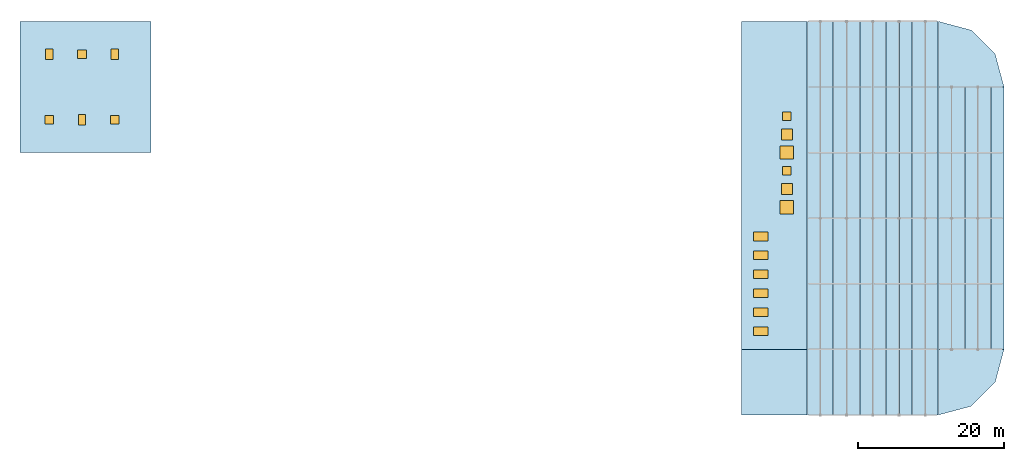
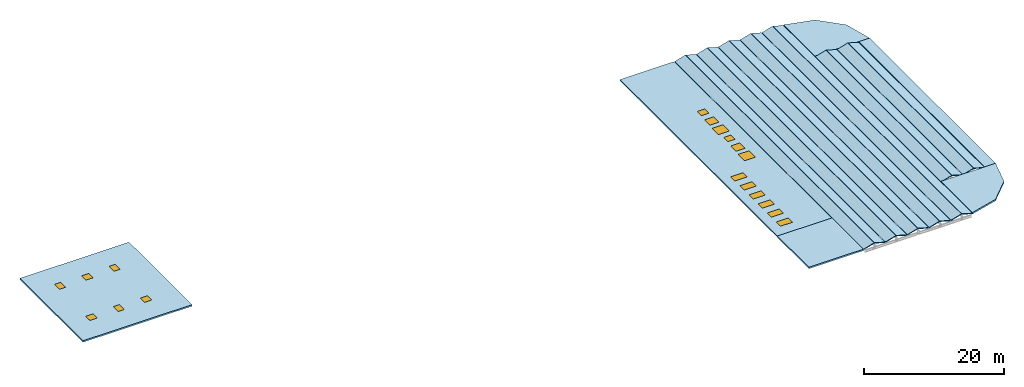
"""IFC4 building model written with IfcOpenShell, lengths in metres."""

from ifc_helpers import new_model, si_unit, direction, frame, origin, origin_2d, place, context, subcontext, project, spatial, polyline, rectangle, outline, extrude, material, layer, layer_set, type_object, element, fill, save


model = new_model("IFC4")

# Units and contexts
model_context = context("Model", 3, precision=1e-05, world=origin(), true_north=direction((0.0, 1.0)))
body_context = subcontext(model_context, "Body", "Model", "MODEL_VIEW")
ifc_project = project(units=[si_unit("LENGTHUNIT", "METRE"), si_unit("AREAUNIT", "SQUARE_METRE"), si_unit("VOLUMEUNIT", "CUBIC_METRE"), si_unit("PLANEANGLEUNIT", "RADIAN"), si_unit("MASSUNIT", "GRAM", prefix="KILO")], contexts=[model_context])

# Site, building, storey
site_placement = place(None, origin())
site = spatial("IfcSite", under=ifc_project, at=site_placement, CompositionType="ELEMENT")
building_placement = place(site_placement, origin())
building = spatial("IfcBuilding", under=site, at=building_placement, Name="Suzunagisa Mobility Hub", CompositionType="ELEMENT")
storey_1_placement = place(building_placement, frame((0.0, 0.0, 30.300048828125)))
storey_1 = spatial("IfcBuildingStorey", under=building, at=storey_1_placement, Name="Roof", CompositionType="ELEMENT", Elevation=30.300048828125)

# Slab, openings, windows
ifc_material_1 = material(Name="Concrete C30/37", Category="concrete")
ifc_layer_1 = layer(ifc_material_1, 0.239990234375)
ifc_layer_set_1 = layer_set([ifc_layer_1], Name="Concrete C30/37")
slab_type_1 = type_object("IfcSlabType", Name="Composite Slab SL-04 240mm", PredefinedType="ROOF", material=ifc_layer_set_1)
slab_1_placement = place(storey_1_placement, frame((0.0, 0.0, -0.239990234375)))
slab_1 = element("IfcSlab", 1, at=slab_1_placement, inside=storey_1, type_object=slab_type_1, Name="Roof Core Overrun and Skylight Gallery Slab", PredefinedType="ROOF", context=body_context, shape_type="SweptSolid", body=[
    extrude(outline(polyline([(144.0, 53.0), (152.969970703125, 53.0), (152.969970703125, 98.0), (144.0, 98.0), (144.0, 53.0)])), origin(), (0.0, 0.0, 1.0), 0.239990234375),
])
opening_1_placement = place(slab_1_placement, frame((146.60009765625, 55.5, -0.010986328125)))
opening_1 = element("IfcOpeningElement", 2, at=opening_1_placement, cuts=slab_1, Name="Opening WN-17", PredefinedType="OPENING", context=body_context, shape_type="SweptSolid", body=[
    extrude(rectangle(XDim=2.0, YDim=1.199951171875, at=origin_2d()), origin(), (0.0, 0.0, 1.0), 0.261962890625),
])
opening_2_placement = place(slab_1_placement, frame((146.60009765625, 58.10009765625, -0.010986328125)))
opening_2 = element("IfcOpeningElement", 3, at=opening_2_placement, cuts=slab_1, Name="Opening WN-15", PredefinedType="OPENING", context=body_context, shape_type="SweptSolid", body=[
    extrude(rectangle(XDim=2.0, YDim=1.199951171875, at=origin_2d()), origin(), (0.0, 0.0, 1.0), 0.261962890625),
])
opening_3_placement = place(slab_1_placement, frame((146.60009765625, 60.699951171875, -0.010986328125)))
opening_3 = element("IfcOpeningElement", 4, at=opening_3_placement, cuts=slab_1, Name="Opening WN-02", PredefinedType="OPENING", context=body_context, shape_type="SweptSolid", body=[
    extrude(rectangle(XDim=2.0, YDim=1.199951171875, at=origin_2d()), origin(), (0.0, 0.0, 1.0), 0.261962890625),
])
opening_4_placement = place(slab_1_placement, frame((146.60009765625, 63.300048828125, -0.010986328125)))
opening_4 = element("IfcOpeningElement", 5, at=opening_4_placement, cuts=slab_1, Name="Opening WN-12", PredefinedType="OPENING", context=body_context, shape_type="SweptSolid", body=[
    extrude(rectangle(XDim=2.0, YDim=1.199951171875, at=origin_2d()), origin(), (0.0, 0.0, 1.0), 0.261962890625),
])
opening_5_placement = place(slab_1_placement, frame((146.60009765625, 65.89990234375, -0.010986328125)))
opening_5 = element("IfcOpeningElement", 6, at=opening_5_placement, cuts=slab_1, Name="Opening WN-17", PredefinedType="OPENING", context=body_context, shape_type="SweptSolid", body=[
    extrude(rectangle(XDim=2.0, YDim=1.199951171875, at=origin_2d()), origin(), (0.0, 0.0, 1.0), 0.261962890625),
])
opening_6_placement = place(slab_1_placement, frame((146.60009765625, 68.5, -0.010986328125)))
opening_6 = element("IfcOpeningElement", 7, at=opening_6_placement, cuts=slab_1, Name="Opening WN-15", PredefinedType="OPENING", context=body_context, shape_type="SweptSolid", body=[
    extrude(rectangle(XDim=2.0, YDim=1.199951171875, at=origin_2d()), origin(), (0.0, 0.0, 1.0), 0.261962890625),
])
opening_7_placement = place(slab_1_placement, frame((150.199951171875, 72.5, -0.010986328125)))
opening_7 = element("IfcOpeningElement", 8, at=opening_7_placement, cuts=slab_1, Name="Opening WN-29", PredefinedType="OPENING", context=body_context, shape_type="SweptSolid", body=[
    extrude(rectangle(XDim=1.800048828125, YDim=1.800048828125, at=origin_2d()), origin(), (0.0, 0.0, 1.0), 0.261962890625),
])
opening_8_placement = place(slab_1_placement, frame((150.199951171875, 75.0, -0.010986328125)))
opening_8 = element("IfcOpeningElement", 9, at=opening_8_placement, cuts=slab_1, Name="Opening WN-23", PredefinedType="OPENING", context=body_context, shape_type="SweptSolid", body=[
    extrude(rectangle(XDim=1.5, YDim=1.5, at=origin_2d()), origin(), (0.0, 0.0, 1.0), 0.261962890625),
])
opening_9_placement = place(slab_1_placement, frame((150.199951171875, 77.5, -0.010986328125)))
opening_9 = element("IfcOpeningElement", 10, at=opening_9_placement, cuts=slab_1, Name="Opening WN-31", PredefinedType="OPENING", context=body_context, shape_type="SweptSolid", body=[
    extrude(rectangle(XDim=1.199951171875, YDim=1.199951171875, at=origin_2d()), origin(), (0.0, 0.0, 1.0), 0.261962890625),
])
opening_10_placement = place(slab_1_placement, frame((150.199951171875, 80.0, -0.010986328125)))
opening_10 = element("IfcOpeningElement", 11, at=opening_10_placement, cuts=slab_1, Name="Opening WN-29", PredefinedType="OPENING", context=body_context, shape_type="SweptSolid", body=[
    extrude(rectangle(XDim=1.800048828125, YDim=1.800048828125, at=origin_2d()), origin(), (0.0, 0.0, 1.0), 0.261962890625),
])
opening_11_placement = place(slab_1_placement, frame((150.199951171875, 82.5, -0.010986328125)))
opening_11 = element("IfcOpeningElement", 12, at=opening_11_placement, cuts=slab_1, Name="Opening WN-23", PredefinedType="OPENING", context=body_context, shape_type="SweptSolid", body=[
    extrude(rectangle(XDim=1.5, YDim=1.5, at=origin_2d()), origin(), (0.0, 0.0, 1.0), 0.261962890625),
])
opening_12_placement = place(slab_1_placement, frame((150.199951171875, 85.0, -0.010986328125)))
opening_12 = element("IfcOpeningElement", 13, at=opening_12_placement, cuts=slab_1, Name="Opening WN-31", PredefinedType="OPENING", context=body_context, shape_type="SweptSolid", body=[
    extrude(rectangle(XDim=1.199951171875, YDim=1.199951171875, at=origin_2d()), origin(), (0.0, 0.0, 1.0), 0.261962890625),
])
ifc_material_2 = material(Name="Thermally Broken Anodized Aluminum and Low-E Double Glazing", Category="aluminium")
window_type_1 = type_object("IfcWindowType", Name="Polycarbonate Lightdome WN-23 1500x1500", PartitioningType="SINGLE_PANEL", PredefinedType="LIGHTDOME", material=ifc_material_2)
window_1_placement = place(opening_8_placement, frame((0.0, 0.0, 0.200927734375)))
window_1 = element("IfcWindow", 14, at=window_1_placement, inside=storey_1, type_object=window_type_1, Name="Roof Smoke-Vent Lightdome LD-2", OverallHeight=1.5, OverallWidth=1.5, PartitioningType="SINGLE_PANEL", PredefinedType="LIGHTDOME", context=body_context, shape_type="SweptSolid", body=[
    extrude(rectangle(XDim=1.5, YDim=1.5, at=origin_2d()), origin(), (0.0, 0.0, 1.0), 0.050048828125),
])
fill(opening_8, window_1)
window_2_placement = place(opening_11_placement, frame((0.0, 0.0, 0.200927734375)))
window_2 = element("IfcWindow", 15, at=window_2_placement, inside=storey_1, type_object=window_type_1, Name="Roof Smoke-Vent Lightdome LD-5", OverallHeight=1.5, OverallWidth=1.5, PartitioningType="SINGLE_PANEL", PredefinedType="LIGHTDOME", context=body_context, shape_type="SweptSolid", body=[
    extrude(rectangle(XDim=1.5, YDim=1.5, at=origin_2d()), origin(), (0.0, 0.0, 1.0), 0.050048828125),
])
fill(opening_11, window_2)
window_type_2 = type_object("IfcWindowType", Name="Polycarbonate Lightdome WN-29 1800x1800", PartitioningType="SINGLE_PANEL", PredefinedType="LIGHTDOME", material=ifc_material_2)
window_3_placement = place(opening_7_placement, frame((0.0, 0.0, 0.200927734375)))
window_3 = element("IfcWindow", 16, at=window_3_placement, inside=storey_1, type_object=window_type_2, Name="Roof Smoke-Vent Lightdome LD-1", OverallHeight=1.800048828125, OverallWidth=1.800048828125, PartitioningType="SINGLE_PANEL", PredefinedType="LIGHTDOME", context=body_context, shape_type="SweptSolid", body=[
    extrude(rectangle(XDim=1.800048828125, YDim=1.800048828125, at=origin_2d()), origin(), (0.0, 0.0, 1.0), 0.050048828125),
])
fill(opening_7, window_3)
window_4_placement = place(opening_10_placement, frame((0.0, 0.0, 0.200927734375)))
window_4 = element("IfcWindow", 17, at=window_4_placement, inside=storey_1, type_object=window_type_2, Name="Roof Smoke-Vent Lightdome LD-4", OverallHeight=1.800048828125, OverallWidth=1.800048828125, PartitioningType="SINGLE_PANEL", PredefinedType="LIGHTDOME", context=body_context, shape_type="SweptSolid", body=[
    extrude(rectangle(XDim=1.800048828125, YDim=1.800048828125, at=origin_2d()), origin(), (0.0, 0.0, 1.0), 0.050048828125),
])
fill(opening_10, window_4)
window_type_3 = type_object("IfcWindowType", Name="Polycarbonate Lightdome WN-31 1200x1200", PartitioningType="SINGLE_PANEL", PredefinedType="LIGHTDOME", material=ifc_material_2)
window_5_placement = place(opening_9_placement, frame((0.0, 0.0, 0.200927734375)))
window_5 = element("IfcWindow", 18, at=window_5_placement, inside=storey_1, type_object=window_type_3, Name="Roof Smoke-Vent Lightdome LD-3", OverallHeight=1.199951171875, OverallWidth=1.199951171875, PartitioningType="SINGLE_PANEL", PredefinedType="LIGHTDOME", context=body_context, shape_type="SweptSolid", body=[
    extrude(rectangle(XDim=1.199951171875, YDim=1.199951171875, at=origin_2d()), origin(), (0.0, 0.0, 1.0), 0.050048828125),
])
fill(opening_9, window_5)
window_6_placement = place(opening_12_placement, frame((0.0, 0.0, 0.200927734375)))
window_6 = element("IfcWindow", 19, at=window_6_placement, inside=storey_1, type_object=window_type_3, Name="Roof Smoke-Vent Lightdome LD-6", OverallHeight=1.199951171875, OverallWidth=1.199951171875, PartitioningType="SINGLE_PANEL", PredefinedType="LIGHTDOME", context=body_context, shape_type="SweptSolid", body=[
    extrude(rectangle(XDim=1.199951171875, YDim=1.199951171875, at=origin_2d()), origin(), (0.0, 0.0, 1.0), 0.050048828125),
])
fill(opening_12, window_6)
window_type_4 = type_object("IfcWindowType", Name="Roof Skylight WN-02 2400x1400", PartitioningType="SINGLE_PANEL", PredefinedType="SKYLIGHT", material=ifc_material_2)
window_7_placement = place(opening_3_placement, frame((0.0, 0.0, 0.200927734375)))
window_7 = element("IfcWindow", 20, at=window_7_placement, inside=storey_1, type_object=window_type_4, Name="Roof Gallery Skylight SK-3", OverallHeight=1.199951171875, OverallWidth=2.0, PartitioningType="SINGLE_PANEL", PredefinedType="SKYLIGHT", context=body_context, shape_type="SweptSolid", body=[
    extrude(rectangle(XDim=2.0, YDim=1.199951171875, at=origin_2d()), origin(), (0.0, 0.0, 1.0), 0.050048828125),
])
fill(opening_3, window_7)
window_type_5 = type_object("IfcWindowType", Name="Roof Skylight WN-12 2000x1200", PartitioningType="SINGLE_PANEL", PredefinedType="SKYLIGHT", material=ifc_material_2)
window_8_placement = place(opening_4_placement, frame((0.0, 0.0, 0.200927734375)))
window_8 = element("IfcWindow", 21, at=window_8_placement, inside=storey_1, type_object=window_type_5, Name="Roof Gallery Skylight SK-4", OverallHeight=1.199951171875, OverallWidth=2.0, PartitioningType="SINGLE_PANEL", PredefinedType="SKYLIGHT", context=body_context, shape_type="SweptSolid", body=[
    extrude(rectangle(XDim=2.0, YDim=1.199951171875, at=origin_2d()), origin(), (0.0, 0.0, 1.0), 0.050048828125),
])
fill(opening_4, window_8)
window_type_6 = type_object("IfcWindowType", Name="Roof Skylight WN-15 2800x1600", PartitioningType="SINGLE_PANEL", PredefinedType="SKYLIGHT", material=ifc_material_2)
window_9_placement = place(opening_2_placement, frame((0.0, 0.0, 0.200927734375)))
window_9 = element("IfcWindow", 22, at=window_9_placement, inside=storey_1, type_object=window_type_6, Name="Roof Gallery Skylight SK-2", OverallHeight=1.199951171875, OverallWidth=2.0, PartitioningType="SINGLE_PANEL", PredefinedType="SKYLIGHT", context=body_context, shape_type="SweptSolid", body=[
    extrude(rectangle(XDim=2.0, YDim=1.199951171875, at=origin_2d()), origin(), (0.0, 0.0, 1.0), 0.050048828125),
])
fill(opening_2, window_9)
window_10_placement = place(opening_6_placement, frame((0.0, 0.0, 0.200927734375)))
window_10 = element("IfcWindow", 23, at=window_10_placement, inside=storey_1, type_object=window_type_6, Name="Roof Gallery Skylight SK-6", OverallHeight=1.199951171875, OverallWidth=2.0, PartitioningType="SINGLE_PANEL", PredefinedType="SKYLIGHT", context=body_context, shape_type="SweptSolid", body=[
    extrude(rectangle(XDim=2.0, YDim=1.199951171875, at=origin_2d()), origin(), (0.0, 0.0, 1.0), 0.050048828125),
])
fill(opening_6, window_10)
window_type_7 = type_object("IfcWindowType", Name="Roof Skylight WN-17 3200x1800", PartitioningType="SINGLE_PANEL", PredefinedType="SKYLIGHT", material=ifc_material_2)
window_11_placement = place(opening_1_placement, frame((0.0, 0.0, 0.200927734375)))
window_11 = element("IfcWindow", 24, at=window_11_placement, inside=storey_1, type_object=window_type_7, Name="Roof Gallery Skylight SK-1", OverallHeight=1.199951171875, OverallWidth=2.0, PartitioningType="SINGLE_PANEL", PredefinedType="SKYLIGHT", context=body_context, shape_type="SweptSolid", body=[
    extrude(rectangle(XDim=2.0, YDim=1.199951171875, at=origin_2d()), origin(), (0.0, 0.0, 1.0), 0.050048828125),
])
fill(opening_1, window_11)
window_12_placement = place(opening_5_placement, frame((0.0, 0.0, 0.200927734375)))
window_12 = element("IfcWindow", 25, at=window_12_placement, inside=storey_1, type_object=window_type_7, Name="Roof Gallery Skylight SK-5", OverallHeight=1.199951171875, OverallWidth=2.0, PartitioningType="SINGLE_PANEL", PredefinedType="SKYLIGHT", context=body_context, shape_type="SweptSolid", body=[
    extrude(rectangle(XDim=2.0, YDim=1.199951171875, at=origin_2d()), origin(), (0.0, 0.0, 1.0), 0.050048828125),
])
fill(opening_5, window_12)

# Slabs
ifc_layer_2 = layer(ifc_material_1, 0.139892578125)
ifc_layer_set_2 = layer_set([ifc_layer_2], Name="Concrete C30/37")
slab_type_2 = type_object("IfcSlabType", Name="Composite Slab SL-06 140mm", PredefinedType="ROOF", material=ifc_layer_set_2)
for number, where, z_axis, x_axis, name in (
    (26, (153.030029296875, 44.0, 0.0), (-0.27580754029, 0.0, 0.961212880022), (0.961212880022, 0.0, 0.27580754029), "Roof Sports Deck Canopy 1W"),
    (27, (154.830078125, 44.0, 0.499267578125), (0.27580754029, 0.0, 0.961212880022), (0.961212880022, 0.0, -0.27580754029), "Roof Sports Deck Canopy 1E"),
):
    element("IfcSlab", number, at=place(storey_1_placement, frame(where, z_axis=z_axis, x_axis=x_axis)), inside=storey_1, type_object=slab_type_2, Name=name, PredefinedType="ROOF", context=body_context, shape_type="SweptSolid", body=[
        extrude(outline(polyline([(0.0, 0.0), (1.810202787062038, 0.0), (1.810202787062038, 54.0), (0.0, 54.0), (0.0, 0.0)])), origin(), (0.0, 0.0, -1.0), 0.139892578125),
    ])
slab_2_placement = place(storey_1_placement, frame((156.6298828125, 44.0, 0.0), z_axis=(-0.275771789589, 0.0, 0.961223137501), x_axis=(0.961223137501, 0.0, 0.275771789589)))
element("IfcSlab", 28, at=slab_2_placement, inside=storey_1, type_object=slab_type_2, Name="Roof Sports Deck Canopy 2W", PredefinedType="ROOF", context=body_context, shape_type="SweptSolid", body=[
    extrude(outline(polyline([(0.0, 0.0), (1.8104374594275394, 0.0), (1.8104374594275394, 54.0), (0.0, 54.0), (0.0, 0.0)])), origin(), (0.0, 0.0, -1.0), 0.139892578125),
])
for number, where, z_axis, x_axis, name in (
    (29, (158.429931640625, 44.0, 0.499267578125), (0.27580754029, 0.0, 0.961212880022), (0.961212880022, 0.0, -0.27580754029), "Roof Sports Deck Canopy 2E"),
    (30, (160.22998046875, 44.0, 0.0), (-0.27580754029, 0.0, 0.961212880022), (0.961212880022, 0.0, 0.27580754029), "Roof Sports Deck Canopy 3W"),
    (31, (162.030029296875, 44.0, 0.499267578125), (0.27580754029, 0.0, 0.961212880022), (0.961212880022, 0.0, -0.27580754029), "Roof Sports Deck Canopy 3E"),
    (32, (163.830078125, 44.0, 0.0), (-0.27580754029, 0.0, 0.961212880022), (0.961212880022, 0.0, 0.27580754029), "Roof Sports Deck Canopy 4W"),
):
    element("IfcSlab", number, at=place(storey_1_placement, frame(where, z_axis=z_axis, x_axis=x_axis)), inside=storey_1, type_object=slab_type_2, Name=name, PredefinedType="ROOF", context=body_context, shape_type="SweptSolid", body=[
        extrude(outline(polyline([(0.0, 0.0), (1.810202787062038, 0.0), (1.810202787062038, 54.0), (0.0, 54.0), (0.0, 0.0)])), origin(), (0.0, 0.0, -1.0), 0.139892578125),
    ])
slab_3_placement = place(storey_1_placement, frame((165.6298828125, 44.0, 0.499267578125), z_axis=(0.275771789589, 0.0, 0.961223137501), x_axis=(0.961223137501, 0.0, -0.275771789589)))
element("IfcSlab", 33, at=slab_3_placement, inside=storey_1, type_object=slab_type_2, Name="Roof Sports Deck Canopy 4E", PredefinedType="ROOF", context=body_context, shape_type="SweptSolid", body=[
    extrude(outline(polyline([(0.0, 0.0), (1.8104374594275394, 0.0), (1.8104374594275394, 54.0), (0.0, 54.0), (0.0, 0.0)])), origin(), (0.0, 0.0, -1.0), 0.139892578125),
])
for number, where, z_axis, x_axis, name in (
    (34, (167.429931640625, 44.0, 0.0), (-0.27580754029, 0.0, 0.961212880022), (0.961212880022, 0.0, 0.27580754029), "Roof Sports Deck Canopy 5W"),
    (35, (169.22998046875, 44.0, 0.499267578125), (0.27580754029, 0.0, 0.961212880022), (0.961212880022, 0.0, -0.27580754029), "Roof Sports Deck Canopy 5E"),
):
    element("IfcSlab", number, at=place(storey_1_placement, frame(where, z_axis=z_axis, x_axis=x_axis)), inside=storey_1, type_object=slab_type_2, Name=name, PredefinedType="ROOF", context=body_context, shape_type="SweptSolid", body=[
        extrude(outline(polyline([(0.0, 0.0), (1.810202787062038, 0.0), (1.810202787062038, 54.0), (0.0, 54.0), (0.0, 0.0)])), origin(), (0.0, 0.0, -1.0), 0.139892578125),
    ])
for number, where, z_axis, x_axis, name in (
    (36, (171.030029296875, 53.0, 0.0), (-0.27580754029, 0.0, 0.961212880022), (0.961212880022, 0.0, 0.27580754029), "Roof Sports Deck Canopy 6W"),
    (37, (172.830078125, 53.0, 0.499267578125), (0.27580754029, 0.0, 0.961212880022), (0.961212880022, 0.0, -0.27580754029), "Roof Sports Deck Canopy 6E"),
):
    element("IfcSlab", number, at=place(storey_1_placement, frame(where, z_axis=z_axis, x_axis=x_axis)), inside=storey_1, type_object=slab_type_2, Name=name, PredefinedType="ROOF", context=body_context, shape_type="SweptSolid", body=[
        extrude(outline(polyline([(0.0, 0.0), (1.810202787062038, 0.0), (1.810202787062038, 36.0), (0.0, 36.0), (0.0, 0.0)])), origin(), (0.0, 0.0, -1.0), 0.139892578125),
    ])
slab_4_placement = place(storey_1_placement, frame((174.6298828125, 53.0, 0.0), z_axis=(-0.275771789589, 0.0, 0.961223137501), x_axis=(0.961223137501, 0.0, 0.275771789589)))
element("IfcSlab", 38, at=slab_4_placement, inside=storey_1, type_object=slab_type_2, Name="Roof Sports Deck Canopy 7W", PredefinedType="ROOF", context=body_context, shape_type="SweptSolid", body=[
    extrude(outline(polyline([(0.0, 0.0), (1.8104374594275394, 0.0), (1.8104374594275394, 36.0), (0.0, 36.0), (0.0, 0.0)])), origin(), (0.0, 0.0, -1.0), 0.139892578125),
])
slab_5_placement = place(storey_1_placement, frame((176.429931640625, 53.0, 0.499267578125), z_axis=(0.27580754029, 0.0, 0.961212880022), x_axis=(0.961212880022, 0.0, -0.27580754029)))
element("IfcSlab", 39, at=slab_5_placement, inside=storey_1, type_object=slab_type_2, Name="Roof Sports Deck Canopy 7E", PredefinedType="ROOF", context=body_context, shape_type="SweptSolid", body=[
    extrude(outline(polyline([(0.0, 0.0), (1.810202787062038, 0.0), (1.810202787062038, 36.0), (0.0, 36.0), (0.0, 0.0)])), origin(), (0.0, 0.0, -1.0), 0.139892578125),
])
ifc_layer_3 = layer(ifc_material_1, 0.260009765625)
ifc_layer_set_3 = layer_set([ifc_layer_3], Name="Concrete C30/37")
slab_type_3 = type_object("IfcSlabType", Name="Composite Slab SL-17 260mm", PredefinedType="ROOF", material=ifc_layer_set_3)
slab_6_placement = place(storey_1_placement, frame((0.0, 0.0, -0.260009765625)))
element("IfcSlab", 40, at=slab_6_placement, inside=storey_1, type_object=slab_type_3, Name="Roof Sports Pavilion SW Apron Slab", PredefinedType="ROOF", context=body_context, shape_type="SweptSolid", body=[
    extrude(outline(polyline([(153.0, 44.0), (153.0, 53.0), (144.0, 53.0), (144.0, 44.0), (153.0, 44.0)])), origin(), (0.0, 0.0, 1.0), 0.260009765625),
])
slab_7_placement = place(storey_1_placement, frame((0.0, 0.0, -0.1650390625)))
element("IfcSlab", 41, at=slab_7_placement, inside=storey_1, type_object=slab_type_3, Name="Roof Sports Pavilion SE Streamline Corner Slab", PredefinedType="ROOF", context=body_context, shape_type="SweptSolid", body=[
    extrude(outline(polyline([(180.0, 53.0), (171.0, 53.0), (171.0, 44.0), (175.5, 45.205810546875), (178.794189453125, 48.5), (180.0, 53.0)])), origin(), (0.0, 0.0, 1.0), 0.260009765625),
])
slab_8_placement = place(storey_1_placement, frame((0.0, 0.0, -0.1650390625)))
element("IfcSlab", 42, at=slab_8_placement, inside=storey_1, type_object=slab_type_3, Name="Roof Sports Pavilion NE Streamline Corner Slab", PredefinedType="ROOF", context=body_context, shape_type="SweptSolid", body=[
    extrude(outline(polyline([(171.0, 98.0), (171.0, 89.0), (180.0, 89.0), (178.794189453125, 93.5), (175.5, 96.794189453125), (171.0, 98.0)])), origin(), (0.0, 0.0, 1.0), 0.260009765625),
])
slab_9_placement = place(storey_1_placement, frame((0.0, 0.0, -0.1650390625)))
element("IfcSlab", 43, at=slab_9_placement, inside=storey_1, type_object=slab_type_3, Name="Roof Sports Pavilion East Eave Fascia Slab", PredefinedType="ROOF", context=body_context, shape_type="SweptSolid", body=[
    extrude(outline(polyline([(180.0, 89.0), (178.199951171875, 89.0), (178.199951171875, 53.0), (180.0, 53.0), (180.0, 89.0)])), origin(), (0.0, 0.0, 1.0), 0.260009765625),
])

# Slab, openings
slab_10_placement = place(storey_1_placement, frame((0.0, 0.0, -0.260009765625)))
slab_10 = element("IfcSlab", 44, at=slab_10_placement, inside=storey_1, type_object=slab_type_3, Name="Roof West Sky-Garden Penthouse Roof Slab", PredefinedType="ROOF", context=body_context, shape_type="SweptSolid", body=[
    extrude(outline(polyline([(45.0, 80.0), (63.0, 80.0), (63.0, 98.0), (45.0, 98.0), (45.0, 80.0)])), origin(), (0.0, 0.0, 1.0), 0.260009765625),
])
opening_13_placement = place(slab_10_placement, frame((49.0, 84.5, -0.010986328125)))
opening_13 = element("IfcOpeningElement", 45, at=opening_13_placement, cuts=slab_10, Name="Opening ED-04", PredefinedType="OPENING", context=body_context, shape_type="SweptSolid", body=[
    extrude(rectangle(XDim=1.199951171875, YDim=1.199951171875, at=origin_2d()), origin(), (0.0, 0.0, 1.0), 0.281982421875),
])
opening_14_placement = place(slab_10_placement, frame((53.5, 84.5, -0.010986328125)))
opening_14 = element("IfcOpeningElement", 46, at=opening_14_placement, cuts=slab_10, Name="Opening ED-01", PredefinedType="OPENING", context=body_context, shape_type="SweptSolid", body=[
    extrude(rectangle(XDim=1.0, YDim=1.39990234375, at=origin_2d()), origin(), (0.0, 0.0, 1.0), 0.281982421875),
])
opening_15_placement = place(slab_10_placement, frame((58.0, 84.5, -0.010986328125)))
opening_15 = element("IfcOpeningElement", 47, at=opening_15_placement, cuts=slab_10, Name="Opening ED-04", PredefinedType="OPENING", context=body_context, shape_type="SweptSolid", body=[
    extrude(rectangle(XDim=1.199951171875, YDim=1.199951171875, at=origin_2d()), origin(), (0.0, 0.0, 1.0), 0.281982421875),
])
opening_16_placement = place(slab_10_placement, frame((49.0, 93.5, -0.010986328125)))
opening_16 = element("IfcOpeningElement", 48, at=opening_16_placement, cuts=slab_10, Name="Opening ED-01", PredefinedType="OPENING", context=body_context, shape_type="SweptSolid", body=[
    extrude(rectangle(XDim=1.0, YDim=1.39990234375, at=origin_2d()), origin(), (0.0, 0.0, 1.0), 0.281982421875),
])
opening_17_placement = place(slab_10_placement, frame((53.5, 93.5, -0.010986328125)))
opening_17 = element("IfcOpeningElement", 49, at=opening_17_placement, cuts=slab_10, Name="Opening ED-04", PredefinedType="OPENING", context=body_context, shape_type="SweptSolid", body=[
    extrude(rectangle(XDim=1.199951171875, YDim=1.199951171875, at=origin_2d()), origin(), (0.0, 0.0, 1.0), 0.281982421875),
])
opening_18_placement = place(slab_10_placement, frame((58.0, 93.5, -0.010986328125)))
opening_18 = element("IfcOpeningElement", 50, at=opening_18_placement, cuts=slab_10, Name="Opening ED-01", PredefinedType="OPENING", context=body_context, shape_type="SweptSolid", body=[
    extrude(rectangle(XDim=1.0, YDim=1.39990234375, at=origin_2d()), origin(), (0.0, 0.0, 1.0), 0.281982421875),
])

# Storey
storey_2_placement = place(building_placement, frame((0.0, 0.0, 26.10009765625)))
storey_2 = spatial("IfcBuildingStorey", under=building, at=storey_2_placement, Name="L06", CompositionType="ELEMENT", Elevation=26.10009765625)

# Door
ifc_material_3 = material(Name="Anodized Aluminum and Tempered Safety Glass", Category="aluminium")
door_type_1 = type_object("IfcDoorType", Name="Roof Maintenance Hatch ED-01 1000x1400", OperationType="SINGLE_SWING_LEFT", PredefinedType="TRAPDOOR", material=ifc_material_3)
door_1_placement = place(opening_14_placement, frame((0.0, 0.0, 0.220947265625)))
door_1 = element("IfcDoor", 51, at=door_1_placement, inside=storey_2, type_object=door_type_1, Name="Roof Penthouse Maintenance Access Hatch RH-2", OperationType="SINGLE_SWING_LEFT", OverallHeight=1.39990234375, OverallWidth=1.0, PredefinedType="TRAPDOOR", context=body_context, shape_type="SweptSolid", body=[
    extrude(rectangle(XDim=1.0, YDim=1.39990234375, at=origin_2d()), origin(), (0.0, 0.0, 1.0), 0.050048828125),
])

fill(opening_14, door_1)

door_2_placement = place(opening_16_placement, frame((0.0, 0.0, 0.220947265625)))
door_2 = element("IfcDoor", 52, at=door_2_placement, inside=storey_2, type_object=door_type_1, Name="Roof Penthouse Maintenance Access Hatch RH-4", OperationType="SINGLE_SWING_LEFT", OverallHeight=1.39990234375, OverallWidth=1.0, PredefinedType="TRAPDOOR", context=body_context, shape_type="SweptSolid", body=[
    extrude(rectangle(XDim=1.0, YDim=1.39990234375, at=origin_2d()), origin(), (0.0, 0.0, 1.0), 0.050048828125),
])

fill(opening_16, door_2)

door_3_placement = place(opening_18_placement, frame((0.0, 0.0, 0.220947265625)))
door_3 = element("IfcDoor", 53, at=door_3_placement, inside=storey_2, type_object=door_type_1, Name="Roof Penthouse Maintenance Access Hatch RH-6", OperationType="SINGLE_SWING_LEFT", OverallHeight=1.39990234375, OverallWidth=1.0, PredefinedType="TRAPDOOR", context=body_context, shape_type="SweptSolid", body=[
    extrude(rectangle(XDim=1.0, YDim=1.39990234375, at=origin_2d()), origin(), (0.0, 0.0, 1.0), 0.050048828125),
])

fill(opening_18, door_3)

door_type_2 = type_object("IfcDoorType", Name="Roof Maintenance Hatch ED-04 1200x1200", OperationType="SINGLE_SWING_LEFT", PredefinedType="TRAPDOOR", material=ifc_material_3)
door_4_placement = place(opening_13_placement, frame((0.0, 0.0, 0.220947265625)))
door_4 = element("IfcDoor", 54, at=door_4_placement, inside=storey_2, type_object=door_type_2, Name="Roof Penthouse Maintenance Access Hatch RH-1", OperationType="SINGLE_SWING_LEFT", OverallHeight=1.199951171875, OverallWidth=1.199951171875, PredefinedType="TRAPDOOR", context=body_context, shape_type="SweptSolid", body=[
    extrude(rectangle(XDim=1.199951171875, YDim=1.199951171875, at=origin_2d()), origin(), (0.0, 0.0, 1.0), 0.050048828125),
])

fill(opening_13, door_4)

door_5_placement = place(opening_15_placement, frame((0.0, 0.0, 0.220947265625)))
door_5 = element("IfcDoor", 55, at=door_5_placement, inside=storey_2, type_object=door_type_2, Name="Roof Penthouse Maintenance Access Hatch RH-3", OperationType="SINGLE_SWING_LEFT", OverallHeight=1.199951171875, OverallWidth=1.199951171875, PredefinedType="TRAPDOOR", context=body_context, shape_type="SweptSolid", body=[
    extrude(rectangle(XDim=1.199951171875, YDim=1.199951171875, at=origin_2d()), origin(), (0.0, 0.0, 1.0), 0.050048828125),
])

fill(opening_15, door_5)

door_6_placement = place(opening_17_placement, frame((0.0, 0.0, 0.220947265625)))
door_6 = element("IfcDoor", 56, at=door_6_placement, inside=storey_2, type_object=door_type_2, Name="Roof Penthouse Maintenance Access Hatch RH-5", OperationType="SINGLE_SWING_LEFT", OverallHeight=1.199951171875, OverallWidth=1.199951171875, PredefinedType="TRAPDOOR", context=body_context, shape_type="SweptSolid", body=[
    extrude(rectangle(XDim=1.199951171875, YDim=1.199951171875, at=origin_2d()), origin(), (0.0, 0.0, 1.0), 0.050048828125),
])

fill(opening_17, door_6)

save(model, "model.ifc")
